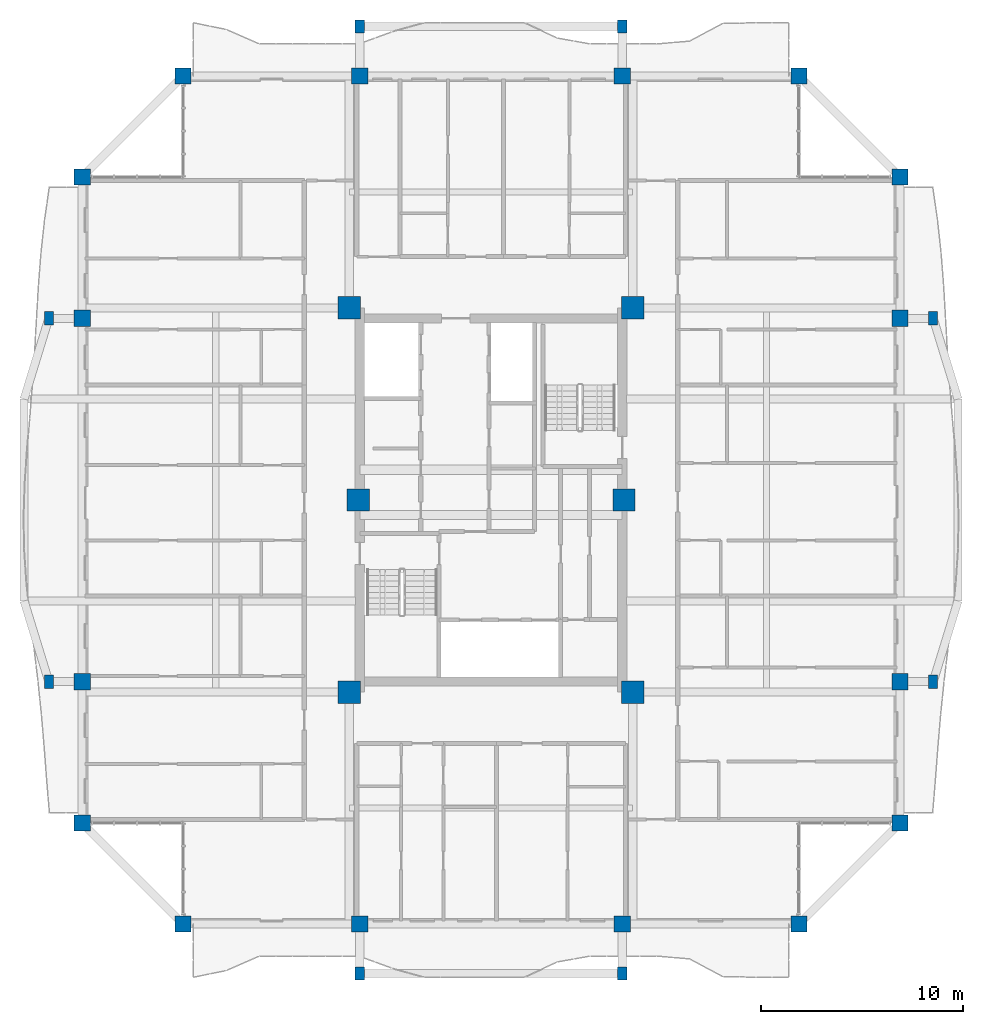
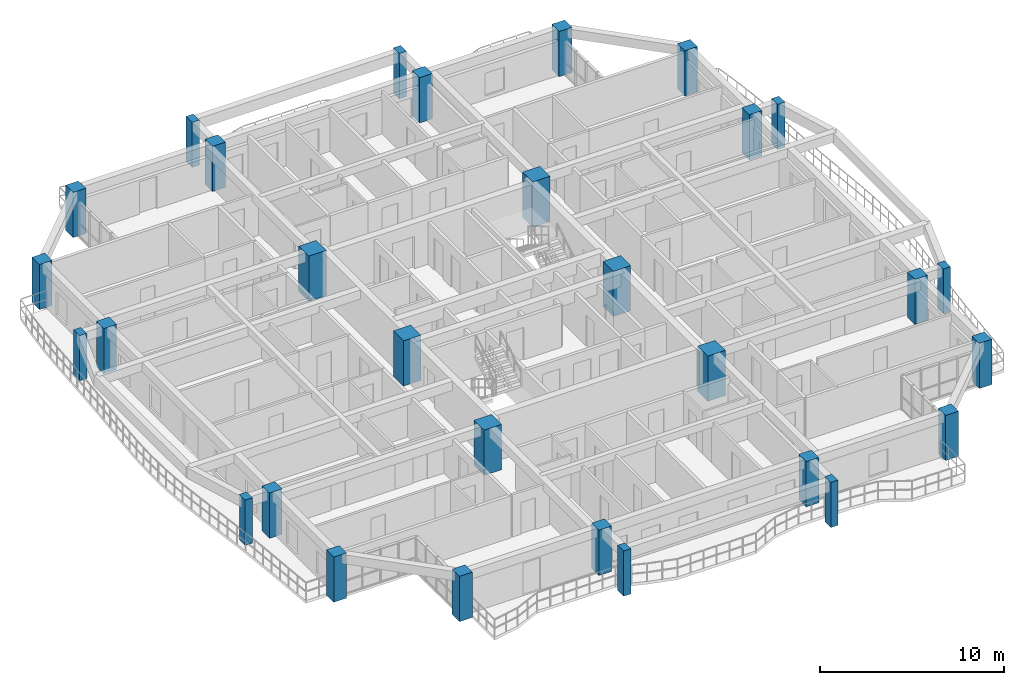
# One storey, part 1 of 22: 30 columns.
"""IFC4 building model written with IfcOpenShell, lengths in metres."""

from ifc_helpers import new_model, si_unit, direction, frame, origin, origin_2d, place, context, subcontext, project, spatial, rectangle, extrude, source, transform, mapped, material, material_profile, profile_set, type_object, element, save


model = new_model("IFC4")

# Units and contexts
model_context = context("Model", 3, precision=1e-05, world=origin(), true_north=direction((0.0, 1.0)))
body_context = subcontext(model_context, "Body", "Model", "MODEL_VIEW")
ifc_project = project(units=[si_unit("LENGTHUNIT", "METRE"), si_unit("AREAUNIT", "SQUARE_METRE"), si_unit("VOLUMEUNIT", "CUBIC_METRE"), si_unit("PLANEANGLEUNIT", "RADIAN"), si_unit("MASSUNIT", "GRAM", prefix="KILO")], contexts=[model_context])

# Site, building, storey
site_placement = place(None, origin())
site = spatial("IfcSite", under=ifc_project, at=site_placement, CompositionType="ELEMENT")
building_placement = place(site_placement, origin())
building = spatial("IfcBuilding", under=site, at=building_placement, Name="Saelheon Loggia Tower", CompositionType="ELEMENT")
storey_placement = place(building_placement, frame((0.0, 0.0, 176.800048828125)))
storey = spatial("IfcBuildingStorey", under=building, at=storey_placement, Name="L55", CompositionType="ELEMENT", Elevation=176.800048828125)

# Columns
ifc_material_1 = material(Name="Concrete C50/60", Category="concrete")
ifc_material_profile_1 = material_profile(ifc_material_1, rectangle(XDim=1.10009765625, YDim=1.10009765625, at=origin_2d()), Name="RC-1100x1100")
ifc_profile_set_1 = profile_set([ifc_material_profile_1], Name="Concrete C50/60")
column_type_1 = type_object("IfcColumnType", Name="Col_Core_RC1100", PredefinedType="COLUMN", material=ifc_profile_set_1)
shared_shape_1 = source(origin(), body_context, "Body", "SweptSolid", [
    extrude(rectangle(XDim=1.10009765625, YDim=1.10009765625, at=origin_2d()), origin(), (0.0, 0.0, 1.0), 3.0),
])
for number, where, z_axis, x_axis, name in (
    (1, (30.97998046875, 17.47998046875, 0.0), (0.0, 0.0, 1.0), (1.0, 0.0, 0.0), "L55 Core Column CR-SW"),
    (2, (45.02001953125, 17.47998046875, 0.0), (0.0, 0.0, 1.0), (1.0, 0.0, 0.0), "L55 Core Column CR-SE"),
    (3, (30.97998046875, 36.52001953125, 0.0), (0.0, 0.0, 1.0), (1.0, 0.0, 0.0), "L55 Core Column CR-NW"),
    (4, (45.02001953125, 36.52001953125, 0.0), (0.0, 0.0, 1.0), (1.0, 0.0, 0.0), "L55 Core Column CR-NE"),
    (5, (31.419921875, 27.0, 0.0), (0.0, 0.0, 1.0), (1.0, 0.0, 0.0), "L55 Core Column CR-MW"),
    (6, (44.580078125, 27.0, 0.0), (0.0, 0.0, 1.0), (1.0, 0.0, 0.0), "L55 Core Column CR-ME"),
):
    element("IfcColumn", number, at=place(storey_placement, frame(where, z_axis=z_axis, x_axis=x_axis)), inside=storey, type_object=column_type_1, Name=name, PredefinedType="COLUMN", context=body_context, shape_type="MappedRepresentation", body=[
        mapped(shared_shape_1, transform((0.0, 0.0, 0.0), scale=1.0)),
    ])
ifc_material_2 = material(Name="Concrete C45/55", Category="concrete")
ifc_material_profile_2 = material_profile(ifc_material_2, rectangle(XDim=0.800048828125, YDim=0.800048828125, at=origin_2d()), Name="RC-800x800")
ifc_profile_set_2 = profile_set([ifc_material_profile_2], Name="Concrete C45/55")
column_type_2 = type_object("IfcColumnType", Name="Col_Perim_RC800", PredefinedType="COLUMN", material=ifc_profile_set_2)
shared_shape_2 = source(origin(), body_context, "Body", "SweptSolid", [
    extrude(rectangle(XDim=0.800048828125, YDim=0.800048828125, at=origin_2d()), origin(), (0.0, 0.0, 1.0), 3.0),
])
for number, where, z_axis, x_axis, name in (
    (7, (22.75, 6.0, 0.0), (0.0, 0.0, 1.0), (1.0, 0.0, 0.0), "L55 Perimeter Column TP-S1"),
    (8, (31.5, 6.0, 0.0), (0.0, 0.0, 1.0), (1.0, 0.0, 0.0), "L55 Perimeter Column TP-SA"),
    (9, (44.5, 6.0, 0.0), (0.0, 0.0, 1.0), (1.0, 0.0, 0.0), "L55 Perimeter Column TP-SB"),
    (10, (53.25, 6.0, 0.0), (0.0, 0.0, 1.0), (1.0, 0.0, 0.0), "L55 Perimeter Column TP-S2"),
    (11, (58.25, 11.0, 0.0), (0.0, 0.0, 1.0), (1.0, 0.0, 0.0), "L55 Perimeter Column TP-E1"),
    (12, (58.25, 18.0, 0.0), (0.0, 0.0, 1.0), (1.0, 0.0, 0.0), "L55 Perimeter Column TP-EA"),
    (13, (58.25, 36.0, 0.0), (0.0, 0.0, 1.0), (1.0, 0.0, 0.0), "L55 Perimeter Column TP-EB"),
    (14, (58.25, 43.0, 0.0), (0.0, 0.0, 1.0), (1.0, 0.0, 0.0), "L55 Perimeter Column TP-E2"),
    (15, (53.25, 48.0, 0.0), (0.0, 0.0, 1.0), (1.0, 0.0, 0.0), "L55 Perimeter Column TP-N2"),
    (16, (44.5, 48.0, 0.0), (0.0, 0.0, 1.0), (1.0, 0.0, 0.0), "L55 Perimeter Column TP-NB"),
    (17, (31.5, 48.0, 0.0), (0.0, 0.0, 1.0), (1.0, 0.0, 0.0), "L55 Perimeter Column TP-NA"),
    (18, (22.75, 48.0, 0.0), (0.0, 0.0, 1.0), (1.0, 0.0, 0.0), "L55 Perimeter Column TP-N1"),
    (19, (17.75, 43.0, 0.0), (0.0, 0.0, 1.0), (1.0, 0.0, 0.0), "L55 Perimeter Column TP-W2"),
    (20, (17.75, 36.0, 0.0), (0.0, 0.0, 1.0), (1.0, 0.0, 0.0), "L55 Perimeter Column TP-WB"),
    (21, (17.75, 18.0, 0.0), (0.0, 0.0, 1.0), (1.0, 0.0, 0.0), "L55 Perimeter Column TP-WA"),
    (22, (17.75, 11.0, 0.0), (0.0, 0.0, 1.0), (1.0, 0.0, 0.0), "L55 Perimeter Column TP-W1"),
):
    element("IfcColumn", number, at=place(storey_placement, frame(where, z_axis=z_axis, x_axis=x_axis)), inside=storey, type_object=column_type_2, Name=name, PredefinedType="COLUMN", context=body_context, shape_type="MappedRepresentation", body=[
        mapped(shared_shape_2, transform((0.0, 0.0, 0.0), scale=1.0)),
    ])
ifc_material_3 = material(Name="Precast Concrete C45/55", Category="concrete")
ifc_material_profile_3 = material_profile(ifc_material_3, rectangle(XDim=0.449951171875, YDim=0.64990234375, at=origin_2d()), Name="RC-450x650")
ifc_profile_set_3 = profile_set([ifc_material_profile_3], Name="Precast Concrete C45/55")
column_type_3 = type_object("IfcColumnType", Name="Col_Loggia_Pilaster_650", PredefinedType="PILASTER", material=ifc_profile_set_3)
shared_shape_3 = source(origin(), body_context, "Body", "SweptSolid", [
    extrude(rectangle(XDim=0.449951171875, YDim=0.64990234375, at=origin_2d()), origin(), (0.0, 0.0, 1.0), 3.0),
])
for number, where, z_axis, x_axis, name in (
    (23, (31.5, 3.550048828125, 0.0), (0.0, 0.0, 1.0), (1.0, 0.0, 0.0), "L55 Loggia Frame Pilaster LP-S1"),
    (24, (44.5, 3.550048828125, 0.0), (0.0, 0.0, 1.0), (1.0, 0.0, 0.0), "L55 Loggia Frame Pilaster LP-S2"),
    (25, (31.5, 50.449951171875, 0.0), (0.0, 0.0, 1.0), (1.0, 0.0, 0.0), "L55 Loggia Frame Pilaster LP-N1"),
    (26, (44.5, 50.449951171875, 0.0), (0.0, 0.0, 1.0), (1.0, 0.0, 0.0), "L55 Loggia Frame Pilaster LP-N2"),
    (27, (59.89990234375, 18.0, 0.0), (0.0, 0.0, 1.0), (1.0, 0.0, 0.0), "L55 Loggia Frame Pilaster LP-E1"),
    (28, (59.89990234375, 36.0, 0.0), (0.0, 0.0, 1.0), (1.0, 0.0, 0.0), "L55 Loggia Frame Pilaster LP-E2"),
    (29, (16.10009765625, 18.0, 0.0), (0.0, 0.0, 1.0), (1.0, 0.0, 0.0), "L55 Loggia Frame Pilaster LP-W1"),
    (30, (16.10009765625, 36.0, 0.0), (0.0, 0.0, 1.0), (1.0, 0.0, 0.0), "L55 Loggia Frame Pilaster LP-W2"),
):
    element("IfcColumn", number, at=place(storey_placement, frame(where, z_axis=z_axis, x_axis=x_axis)), inside=storey, type_object=column_type_3, Name=name, PredefinedType="PILASTER", context=body_context, shape_type="MappedRepresentation", body=[
        mapped(shared_shape_3, transform((0.0, 0.0, 0.0), scale=1.0)),
    ])

save(model, "model.ifc")
